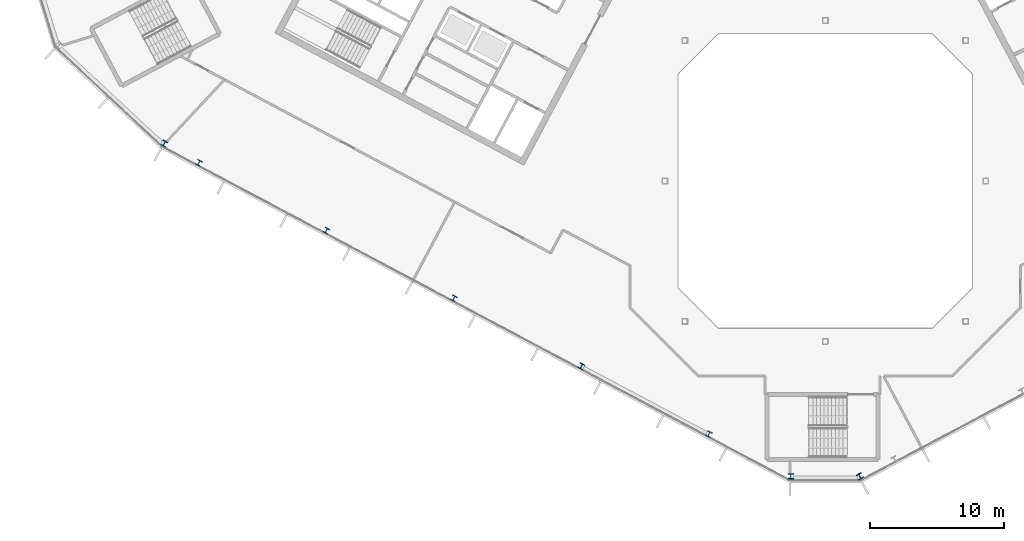
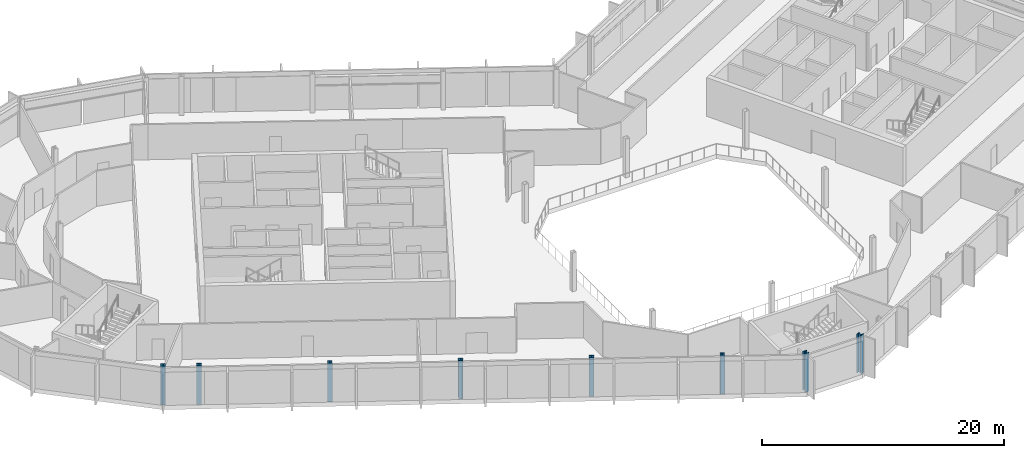
# One storey, part 1 of 30: 8 columns.
"""IFC4 building model written with IfcOpenShell, lengths in metres."""

from ifc_helpers import new_model, si_unit, direction, frame, origin, origin_2d, place, context, subcontext, project, spatial, i_section, extrude, material, material_profile, profile_set, type_object, element, save


model = new_model("IFC4")

# Units and contexts
model_context = context("Model", 3, precision=1e-05, world=origin(), true_north=direction((0.0, 1.0)))
body_context = subcontext(model_context, "Body", "Model", "MODEL_VIEW")
ifc_project = project(units=[si_unit("LENGTHUNIT", "METRE"), si_unit("AREAUNIT", "SQUARE_METRE"), si_unit("VOLUMEUNIT", "CUBIC_METRE"), si_unit("PLANEANGLEUNIT", "RADIAN"), si_unit("MASSUNIT", "GRAM", prefix="KILO")], contexts=[model_context])

# Site, building, storey
site_placement = place(None, origin())
site = spatial("IfcSite", under=ifc_project, at=site_placement, CompositionType="ELEMENT")
building_placement = place(site_placement, origin())
building = spatial("IfcBuilding", under=site, at=building_placement, Name="Cormorant Relay Tower", CompositionType="ELEMENT")
storey_placement = place(building_placement, frame((0.0, 0.0, 258.0)))
storey = spatial("IfcBuildingStorey", under=building, at=storey_placement, Name="L57", CompositionType="ELEMENT", Elevation=258.0)

# Columns
ifc_material_1 = material(Name="Steel ASTM A992 (Fy 345 MPa)", Category="steel")
ifc_material_profile_1 = material_profile(ifc_material_1, i_section(OverallWidth=0.398681640625, OverallDepth=0.385986328125, WebThickness=0.02099609375, FlangeThickness=0.033203125, FilletRadius=0.01513671875, at=origin_2d()), Name="W360x262")
ifc_profile_set_1 = profile_set([ifc_material_profile_1], Name="Steel ASTM A992 (Fy 345 MPa)")
column_type_1 = type_object("IfcColumnType", Name="Column W360x262", PredefinedType="COLUMN", material=ifc_profile_set_1)
for number, where, z_axis, x_axis, name in (
    (1, (-8.705078125, -18.928955078125, 0.0), (0.0, 0.0, 1.0), (0.882947592859, -0.469471562786, 0.0), "Column L57-004"),
    (2, (-18.240966796875, -13.85791015625, 0.0), (0.0, 0.0, 1.0), (0.882947592859, -0.469471562786, 0.0), "Column L57-006"),
    (3, (-27.777099609375, -8.7880859375, 0.0), (0.0, 0.0, 1.0), (0.882947592859, -0.469471562786, 0.0), "Column L57-011"),
    (4, (-37.31298828125, -3.718017578125, 0.0), (0.0, 0.0, 1.0), (0.882947592859, -0.469471562786, 0.0), "Column L57-013"),
    (5, (-46.84912109375, 1.35205078125, 0.0), (0.0, 0.0, 1.0), (0.882947592859, -0.469471562786, 0.0), "Column L57-017"),
):
    element("IfcColumn", number, at=place(storey_placement, frame(where, z_axis=z_axis, x_axis=x_axis)), inside=storey, type_object=column_type_1, Name=name, PredefinedType="COLUMN", context=body_context, shape_type="SweptSolid", body=[
        extrude(i_section(OverallWidth=0.398681640625, OverallDepth=0.385986328125, WebThickness=0.02099609375, FlangeThickness=0.033203125, FilletRadius=0.01513671875, at=origin_2d()), origin(), (0.0, 0.0, 1.0), 3.89990234375),
    ])
ifc_material_2 = material(Name="Steel ASTM A992 (Fy 345 MPa)", Category="steel")
ifc_material_profile_2 = material_profile(ifc_material_2, i_section(OverallWidth=0.40380859375, OverallDepth=0.406494140625, WebThickness=0.027099609375, FlangeThickness=0.043701171875, FilletRadius=0.01513671875, at=origin_2d()), Name="W360x347")
ifc_profile_set_2 = profile_set([ifc_material_profile_2], Name="Steel ASTM A992 (Fy 345 MPa)")
column_type_2 = type_object("IfcColumnType", Name="Column W360x347", PredefinedType="COLUMN", material=ifc_profile_set_2)
for number, where, z_axis, x_axis, name in (
    (6, (-2.5791015625, -22.093994140625, 0.0), (0.0, 0.0, 1.0), (1.0, 0.0, 0.0), "Column L57-001"),
    (7, (2.5791015625, -22.093994140625, 0.0), (0.0, 0.0, 1.0), (0.882947592859, 0.469471562786, 0.0), "Column L57-002"),
    (8, (-49.44091796875, 2.7958984375, 0.0), (0.0, 0.0, 1.0), (0.882947592859, -0.469471562786, 0.0), "Column L57-018"),
):
    element("IfcColumn", number, at=place(storey_placement, frame(where, z_axis=z_axis, x_axis=x_axis)), inside=storey, type_object=column_type_2, Name=name, PredefinedType="COLUMN", context=body_context, shape_type="SweptSolid", body=[
        extrude(i_section(OverallWidth=0.40380859375, OverallDepth=0.406494140625, WebThickness=0.027099609375, FlangeThickness=0.043701171875, FilletRadius=0.01513671875, at=origin_2d()), origin(), (0.0, 0.0, 1.0), 3.89990234375),
    ])

save(model, "model.ifc")
